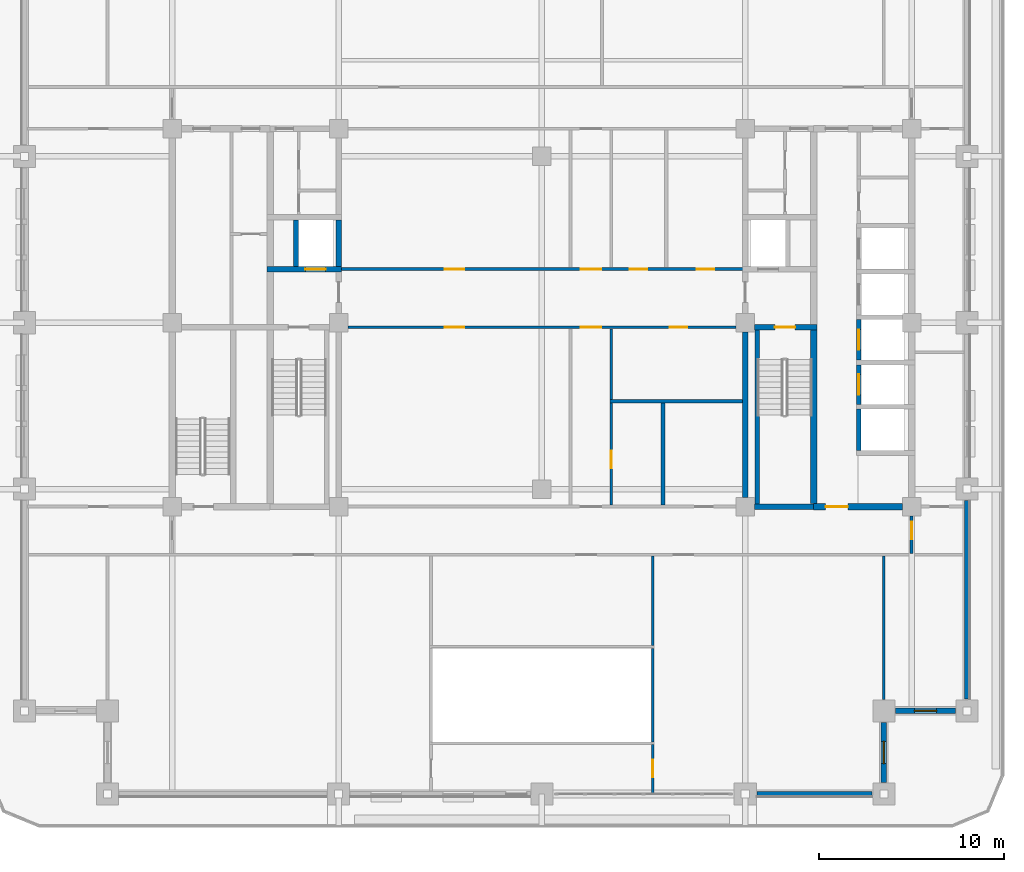
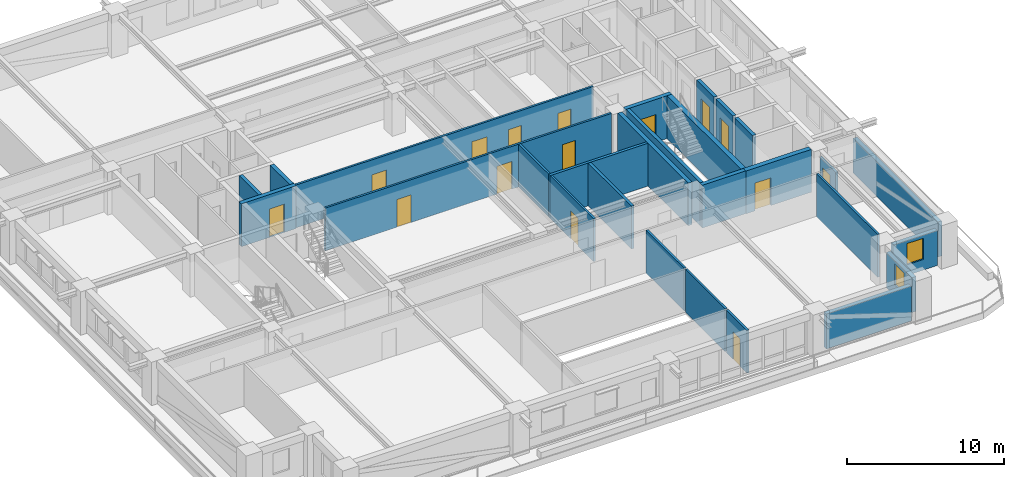
# One storey, part 9 of 20: 27 walls, 15 doors, 2 windows, 17 openings.
"""IFC4 building model written with IfcOpenShell, lengths in metres."""

from ifc_helpers import new_model, si_unit, direction, frame, frame_2d, origin, place, context, subcontext, project, spatial, rectangle, extrude, material, layer, layer_set, type_object, element, fill, save


model = new_model("IFC4")

# Units and contexts
model_context = context("Model", 3, precision=1e-05, world=origin(), true_north=direction((0.0, 1.0)))
body_context = subcontext(model_context, "Body", "Model", "MODEL_VIEW")
ifc_project = project(units=[si_unit("LENGTHUNIT", "METRE"), si_unit("AREAUNIT", "SQUARE_METRE"), si_unit("VOLUMEUNIT", "CUBIC_METRE"), si_unit("PLANEANGLEUNIT", "RADIAN"), si_unit("MASSUNIT", "GRAM", prefix="KILO")], contexts=[model_context])

# Site, building, storey
site_placement = place(None, origin())
site = spatial("IfcSite", under=ifc_project, at=site_placement, CompositionType="ELEMENT")
building_placement = place(site_placement, origin())
building = spatial("IfcBuilding", under=site, at=building_placement, Name="Zulmaris Gate Convention Tower", CompositionType="ELEMENT")
storey_placement = place(building_placement, frame((0.0, 0.0, 146.33984375)))
storey = spatial("IfcBuildingStorey", under=building, at=storey_placement, Name="L37", CompositionType="ELEMENT", Elevation=146.33984375)

# Walls
ifc_material_1 = material(Name="Concrete C50/60", Category="concrete")
ifc_layer_1 = layer(ifc_material_1, 0.25, Name="Concrete C50/60")
ifc_layer_set_1 = layer_set([ifc_layer_1], Name="Concrete C50/60")
wall_type_1 = type_object("IfcWallType", Name="CORE-250", PredefinedType="SOLIDWALL", material=ifc_layer_set_1)
wall_1_placement = place(storey_placement, frame((-13.300048828125, 3.052001953125, 0.0), z_axis=(0.0, 0.0, 1.0), x_axis=(0.0, 1.0, 0.0)))
element("IfcWall", 1, at=wall_1_placement, inside=storey, type_object=wall_type_1, Name="WL-L37-046", PredefinedType="SOLIDWALL", context=body_context, shape_type="SweptSolid", body=[
    extrude(rectangle(XDim=2.49609375, YDim=0.25, at=frame_2d((1.248046875, 0.0))), origin(), (0.0, 0.0, 1.0), 3.320068359375),
])
wall_2_placement = place(storey_placement, frame((11.64990234375, -9.798095703125, 0.0), z_axis=(0.0, 0.0, 1.0), x_axis=(0.0, 1.0, 0.0)))
element("IfcWall", 2, at=wall_2_placement, inside=storey, type_object=wall_type_1, Name="WL-L37-056", PredefinedType="SOLIDWALL", context=body_context, shape_type="SweptSolid", body=[
    extrude(rectangle(XDim=9.39599609375, YDim=0.25, at=frame_2d((4.697998046875, 0.0))), origin(), (0.0, 0.0, 1.0), 3.320068359375),
])
wall_3_placement = place(storey_placement, frame((17.14990234375, -6.923095703125, 0.0), z_axis=(0.0, 0.0, 1.0), x_axis=(0.0, 1.0, 0.0)))
element("IfcWall", 3, at=wall_3_placement, inside=storey, type_object=wall_type_1, Name="WL-L37-062", PredefinedType="SOLIDWALL", context=body_context, shape_type="SweptSolid", body=[
    extrude(rectangle(XDim=2.24609375, YDim=0.25, at=frame_2d((1.123046875, 0.0))), origin(), (0.0, 0.0, 1.0), 3.320068359375),
])

# Wall, opening, door
wall_4_placement = place(storey_placement, frame((17.14990234375, -4.423095703125, 0.0), z_axis=(0.0, 0.0, 1.0), x_axis=(0.0, 1.0, 0.0)))
wall_4 = element("IfcWall", 4, at=wall_4_placement, inside=storey, type_object=wall_type_1, Name="WL-L37-063", PredefinedType="SOLIDWALL", context=body_context, shape_type="SweptSolid", body=[
    extrude(rectangle(XDim=2.14599609375, YDim=0.25, at=frame_2d((1.072998046875, 0.0))), origin(), (0.0, 0.0, 1.0), 3.320068359375),
])
opening_1_placement = place(wall_4_placement, frame((0.52294921875, 0.0, 0.0)))
opening_1 = element("IfcOpeningElement", 5, at=opening_1_placement, cuts=wall_4, Name="Opening D-06", PredefinedType="OPENING", context=body_context, shape_type="SweptSolid", body=[
    extrude(rectangle(XDim=1.10009765625, YDim=2.199951171875, at=frame_2d((0.550048828125, 1.10009765625))), frame((0.0, 0.135009765625, 0.0), z_axis=(0.0, -1.0, 0.0), x_axis=(1.0, 0.0, 0.0)), (0.0, 0.0, 1.0), 0.27001953125),
])
ifc_material_2 = material(Name="Brushed Stainless Steel", Category="steel")
door_type_1 = type_object("IfcDoorType", Name="LD-1100", OperationType="NOTDEFINED", PredefinedType="DOOR", material=ifc_material_2)
door_1_placement = place(opening_1_placement, origin())
door_1 = element("IfcDoor", 6, at=door_1_placement, inside=storey, type_object=door_type_1, Name="L37 Lift Landing Door MP-01 17", OperationType="SLIDING_TO_RIGHT", OverallHeight=2.199951171875, OverallWidth=1.10009765625, PredefinedType="DOOR", context=body_context, shape_type="SweptSolid", body=[
    extrude(rectangle(XDim=1.10009765625, YDim=2.199951171875, at=frame_2d((0.550048828125, 1.10009765625))), frame((0.0, 0.02490234375, 0.0), z_axis=(0.0, -1.0, 0.0), x_axis=(1.0, 0.0, 0.0)), (0.0, 0.0, 1.0), 0.050048828125),
])
fill(opening_1, door_1)

wall_5_placement = place(storey_placement, frame((17.14990234375, -2.02294921875, 0.0), z_axis=(0.0, 0.0, 1.0), x_axis=(0.0, 1.0, 0.0)))
wall_5 = element("IfcWall", 7, at=wall_5_placement, inside=storey, type_object=wall_type_1, Name="WL-L37-064", PredefinedType="SOLIDWALL", context=body_context, shape_type="SweptSolid", body=[
    extrude(rectangle(XDim=2.196044921875, YDim=0.25, at=frame_2d((1.09814453125, 0.0))), origin(), (0.0, 0.0, 1.0), 3.320068359375),
])
opening_2_placement = place(wall_5_placement, frame((0.548095703125, 0.0, 0.0)))
opening_2 = element("IfcOpeningElement", 8, at=opening_2_placement, cuts=wall_5, Name="Opening D-06", PredefinedType="OPENING", context=body_context, shape_type="SweptSolid", body=[
    extrude(rectangle(XDim=1.10009765625, YDim=2.199951171875, at=frame_2d((0.550048828125, 1.10009765625))), frame((0.0, 0.135009765625, 0.0), z_axis=(0.0, -1.0, 0.0), x_axis=(1.0, 0.0, 0.0)), (0.0, 0.0, 1.0), 0.27001953125),
])
door_2_placement = place(opening_2_placement, origin())
door_2 = element("IfcDoor", 9, at=door_2_placement, inside=storey, type_object=door_type_1, Name="L37 Lift Landing Door MP-02 18", OperationType="SLIDING_TO_RIGHT", OverallHeight=2.199951171875, OverallWidth=1.10009765625, PredefinedType="DOOR", context=body_context, shape_type="SweptSolid", body=[
    extrude(rectangle(XDim=1.10009765625, YDim=2.199951171875, at=frame_2d((0.550048828125, 1.10009765625))), frame((0.0, 0.02490234375, 0.0), z_axis=(0.0, -1.0, 0.0), x_axis=(1.0, 0.0, 0.0)), (0.0, 0.0, 1.0), 0.050048828125),
])
fill(opening_2, door_2)

# Wall
ifc_layer_2 = layer(ifc_material_1, 0.300048828125, Name="Concrete C50/60")
ifc_layer_set_2 = layer_set([ifc_layer_2], Name="Concrete C50/60")
wall_type_2 = type_object("IfcWallType", Name="CORE-300", PredefinedType="SHEAR", material=ifc_layer_set_2)
wall_6_placement = place(storey_placement, frame((11.50390625, -9.949951171875, 0.0), z_axis=(0.0, 0.0, 1.0), x_axis=(1.0, 0.0, 0.0)))
element("IfcWall", 10, at=wall_6_placement, inside=storey, type_object=wall_type_2, Name="WL-L37-003", PredefinedType="SHEAR", context=body_context, shape_type="SweptSolid", body=[
    extrude(rectangle(XDim=3.196044921875, YDim=0.300048828125, at=frame_2d((1.59814453125, 0.0))), origin(), (0.0, 0.0, 1.0), 3.320068359375),
])

# Wall, opening, door
wall_7_placement = place(storey_placement, frame((11.50390625, -0.25, 0.0), z_axis=(0.0, 0.0, 1.0), x_axis=(1.0, 0.0, 0.0)))
wall_7 = element("IfcWall", 11, at=wall_7_placement, inside=storey, type_object=wall_type_2, Name="WL-L37-009", PredefinedType="SHEAR", context=body_context, shape_type="SweptSolid", body=[
    extrude(rectangle(XDim=3.37109375, YDim=0.300048828125, at=frame_2d((1.685546875, 0.0))), origin(), (0.0, 0.0, 1.0), 3.320068359375),
])
opening_3_placement = place(wall_7_placement, frame((1.095947265625, 0.0, 0.0)))
opening_3 = element("IfcOpeningElement", 12, at=opening_3_placement, cuts=wall_7, Name="Opening D-08", PredefinedType="OPENING", context=body_context, shape_type="SweptSolid", body=[
    extrude(rectangle(XDim=1.10009765625, YDim=2.14990234375, at=frame_2d((0.550048828125, 1.074951171875))), frame((0.0, 0.16015625, 0.0), z_axis=(0.0, -1.0, 0.0), x_axis=(1.0, 0.0, 0.0)), (0.0, 0.0, 1.0), 0.320068359375),
])
ifc_material_3 = material(Name="Fire-Rated Steel", Category="steel")
door_type_2 = type_object("IfcDoorType", Name="DR-1100-FD", OperationType="NOTDEFINED", PredefinedType="DOOR", material=ifc_material_3)
door_3_placement = place(opening_3_placement, origin())
door_3 = element("IfcDoor", 13, at=door_3_placement, inside=storey, type_object=door_type_2, Name="L37 Exit Stair ST-2 Door 04", OperationType="SINGLE_SWING_LEFT", OverallHeight=2.14990234375, OverallWidth=1.10009765625, PredefinedType="DOOR", context=body_context, shape_type="SweptSolid", body=[
    extrude(rectangle(XDim=1.10009765625, YDim=2.14990234375, at=frame_2d((0.550048828125, 1.074951171875))), frame((0.0, 0.02490234375, 0.0), z_axis=(0.0, -1.0, 0.0), x_axis=(1.0, 0.0, 0.0)), (0.0, 0.0, 1.0), 0.050048828125),
])
fill(opening_3, door_3)

wall_8_placement = place(storey_placement, frame((-14.875, 2.89990234375, 0.0), z_axis=(0.0, 0.0, 1.0), x_axis=(1.0, 0.0, 0.0)))
wall_8 = element("IfcWall", 14, at=wall_8_placement, inside=storey, type_object=wall_type_2, Name="WL-L37-012", PredefinedType="SHEAR", context=body_context, shape_type="SweptSolid", body=[
    extrude(rectangle(XDim=4.02490234375, YDim=0.300048828125, at=frame_2d((2.012451171875, 0.0))), origin(), (0.0, 0.0, 1.0), 3.320068359375),
])
opening_4_placement = place(wall_8_placement, frame((2.074951171875, 0.0, 0.0)))
opening_4 = element("IfcOpeningElement", 15, at=opening_4_placement, cuts=wall_8, Name="Opening D-06", PredefinedType="OPENING", context=body_context, shape_type="SweptSolid", body=[
    extrude(rectangle(XDim=1.10009765625, YDim=2.199951171875, at=frame_2d((0.550048828125, 1.10009765625))), frame((0.0, 0.16015625, 0.0), z_axis=(0.0, -1.0, 0.0), x_axis=(1.0, 0.0, 0.0)), (0.0, 0.0, 1.0), 0.320068359375),
])
door_4_placement = place(opening_4_placement, origin())
door_4 = element("IfcDoor", 16, at=door_4_placement, inside=storey, type_object=door_type_1, Name="L37 Lift Landing Door LF-01 03", OperationType="SLIDING_TO_LEFT", OverallHeight=2.199951171875, OverallWidth=1.10009765625, PredefinedType="DOOR", context=body_context, shape_type="SweptSolid", body=[
    extrude(rectangle(XDim=1.10009765625, YDim=2.199951171875, at=frame_2d((0.550048828125, 1.10009765625))), frame((0.0, 0.02490234375, 0.0), z_axis=(0.0, -1.0, 0.0), x_axis=(1.0, 0.0, 0.0)), (0.0, 0.0, 1.0), 0.050048828125),
])
fill(opening_4, door_4)

# Walls
wall_9_placement = place(storey_placement, frame((-11.0, 3.052001953125, 0.0), z_axis=(0.0, 0.0, 1.0), x_axis=(0.0, 1.0, 0.0)))
element("IfcWall", 17, at=wall_9_placement, inside=storey, type_object=wall_type_2, Name="WL-L37-050", PredefinedType="SHEAR", context=body_context, shape_type="SweptSolid", body=[
    extrude(rectangle(XDim=2.49609375, YDim=0.300048828125, at=frame_2d((1.248046875, 0.0))), origin(), (0.0, 0.0, 1.0), 3.320068359375),
])
wall_10_placement = place(storey_placement, frame((11.0, -9.446044921875, 0.0), z_axis=(0.0, 0.0, 1.0), x_axis=(0.0, 1.0, 0.0)))
element("IfcWall", 18, at=wall_10_placement, inside=storey, type_object=wall_type_2, Name="WL-L37-052", PredefinedType="SHEAR", context=body_context, shape_type="SweptSolid", body=[
    extrude(rectangle(XDim=8.942138671875, YDim=0.300048828125, at=frame_2d((4.47119140625, 0.0))), origin(), (0.0, 0.0, 1.0), 3.320068359375),
])

# Wall, opening, door
ifc_material_4 = material(Name="Concrete C55/67", Category="concrete")
ifc_layer_3 = layer(ifc_material_4, 0.35009765625, Name="Concrete C55/67")
ifc_layer_set_3 = layer_set([ifc_layer_3], Name="Concrete C55/67")
wall_type_3 = type_object("IfcWallType", Name="CORE-350", PredefinedType="SHEAR", material=ifc_layer_set_3)
wall_11_placement = place(storey_placement, frame((14.699951171875, -9.949951171875, 0.0), z_axis=(0.0, 0.0, 1.0), x_axis=(1.0, 0.0, 0.0)))
wall_11 = element("IfcWall", 19, at=wall_11_placement, inside=storey, type_object=wall_type_3, Name="WL-L37-004", PredefinedType="SHEAR", context=body_context, shape_type="SweptSolid", body=[
    extrude(rectangle(XDim=4.796142578125, YDim=0.35009765625, at=frame_2d((2.39794921875, 0.0))), origin(), (0.0, 0.0, 1.0), 3.320068359375),
])
opening_5_placement = place(wall_11_placement, frame((0.64990234375, 0.0, 0.0)))
opening_5 = element("IfcOpeningElement", 20, at=opening_5_placement, cuts=wall_11, Name="Opening D-13", PredefinedType="OPENING", context=body_context, shape_type="SweptSolid", body=[
    extrude(rectangle(XDim=1.199951171875, YDim=2.14990234375, at=frame_2d((0.60009765625, 1.074951171875))), frame((0.0, 0.18505859375, 0.0), z_axis=(0.0, -1.0, 0.0), x_axis=(1.0, 0.0, 0.0)), (0.0, 0.0, 1.0), 0.3701171875),
])
door_type_3 = type_object("IfcDoorType", Name="DR-1200-FD", OperationType="NOTDEFINED", PredefinedType="DOOR", material=ifc_material_3)
door_5_placement = place(opening_5_placement, origin())
door_5 = element("IfcDoor", 21, at=door_5_placement, inside=storey, type_object=door_type_3, Name="L37 East Lift Lobby South Door 21", OperationType="SINGLE_SWING_LEFT", OverallHeight=2.14990234375, OverallWidth=1.199951171875, PredefinedType="DOOR", context=body_context, shape_type="SweptSolid", body=[
    extrude(rectangle(XDim=1.199951171875, YDim=2.14990234375, at=frame_2d((0.60009765625, 1.074951171875))), frame((0.0, 0.02490234375, 0.0), z_axis=(0.0, -1.0, 0.0), x_axis=(1.0, 0.0, 0.0)), (0.0, 0.0, 1.0), 0.050048828125),
])
fill(opening_5, door_5)

# Wall
wall_12_placement = place(storey_placement, frame((14.699951171875, -9.77294921875, 0.0), z_axis=(0.0, 0.0, 1.0), x_axis=(0.0, 1.0, 0.0)))
element("IfcWall", 22, at=wall_12_placement, inside=storey, type_object=wall_type_3, Name="WL-L37-058", PredefinedType="SHEAR", context=body_context, shape_type="SweptSolid", body=[
    extrude(rectangle(XDim=9.370849609375, YDim=0.35009765625, at=frame_2d((4.685546875, 0.0))), origin(), (0.0, 0.0, 1.0), 3.320068359375),
])

# Wall, openings, doors
ifc_material_5 = material(Name="Gypsum Metal Stud Partition")
ifc_layer_4 = layer(ifc_material_5, 0.14990234375, Name="Gypsum Metal Stud Partition")
ifc_layer_set_4 = layer_set([ifc_layer_4], Name="Gypsum Metal Stud Partition")
wall_type_4 = type_object("IfcWallType", Name="PART-150", PredefinedType="PARTITIONING", material=ifc_layer_set_4)
wall_13_placement = place(storey_placement, frame((-10.493896484375, -0.25, 0.0), z_axis=(0.0, 0.0, 1.0), x_axis=(1.0, 0.0, 0.0)))
wall_13 = element("IfcWall", 23, at=wall_13_placement, inside=storey, type_object=wall_type_4, Name="WL-L37-029", PredefinedType="PARTITIONING", context=body_context, shape_type="SweptSolid", body=[
    extrude(rectangle(XDim=20.98779296875, YDim=0.14990234375, at=frame_2d((10.493896484375, 0.0))), origin(), (0.0, 0.0, 1.0), 3.320068359375),
])
opening_6_placement = place(wall_13_placement, frame((12.593994140625, 0.0, 0.0)))
opening_6 = element("IfcOpeningElement", 24, at=opening_6_placement, cuts=wall_13, Name="Opening D-08", PredefinedType="OPENING", context=body_context, shape_type="SweptSolid", body=[
    extrude(rectangle(XDim=1.10009765625, YDim=2.14990234375, at=frame_2d((0.550048828125, 1.074951171875))), frame((0.0, 0.0849609375, 0.0), z_axis=(0.0, -1.0, 0.0), x_axis=(1.0, 0.0, 0.0)), (0.0, 0.0, 1.0), 0.169921875),
])
opening_7_placement = place(wall_13_placement, frame((5.2490234375, 0.0, 0.0)))
opening_7 = element("IfcOpeningElement", 25, at=opening_7_placement, cuts=wall_13, Name="Opening D-09", PredefinedType="OPENING", context=body_context, shape_type="SweptSolid", body=[
    extrude(rectangle(XDim=1.050048828125, YDim=2.14990234375, at=frame_2d((0.52490234375, 1.074951171875))), frame((0.0, 0.0849609375, 0.0), z_axis=(0.0, -1.0, 0.0), x_axis=(1.0, 0.0, 0.0)), (0.0, 0.0, 1.0), 0.169921875),
])
opening_8_placement = place(wall_13_placement, frame((17.39892578125, 0.0, 0.0)))
opening_8 = element("IfcOpeningElement", 26, at=opening_8_placement, cuts=wall_13, Name="Opening D-11", PredefinedType="OPENING", context=body_context, shape_type="SweptSolid", body=[
    extrude(rectangle(XDim=0.949951171875, YDim=2.14990234375, at=frame_2d((0.47509765625, 1.074951171875))), frame((0.0, 0.0849609375, 0.0), z_axis=(0.0, -1.0, 0.0), x_axis=(1.0, 0.0, 0.0)), (0.0, 0.0, 1.0), 0.169921875),
])
door_type_4 = type_object("IfcDoorType", Name="DR-1050-FD", OperationType="NOTDEFINED", PredefinedType="DOOR", material=ifc_material_3)
door_6_placement = place(opening_7_placement, origin())
door_6 = element("IfcDoor", 27, at=door_6_placement, inside=storey, type_object=door_type_4, Name="L37 Sky Library Door 39", OperationType="SINGLE_SWING_LEFT", OverallHeight=2.14990234375, OverallWidth=1.050048828125, PredefinedType="DOOR", context=body_context, shape_type="SweptSolid", body=[
    extrude(rectangle(XDim=1.050048828125, YDim=2.14990234375, at=frame_2d((0.52490234375, 1.074951171875))), frame((0.0, 0.02490234375, 0.0), z_axis=(0.0, -1.0, 0.0), x_axis=(1.0, 0.0, 0.0)), (0.0, 0.0, 1.0), 0.050048828125),
])
fill(opening_7, door_6)
door_7_placement = place(opening_6_placement, origin())
door_7 = element("IfcDoor", 28, at=door_7_placement, inside=storey, type_object=door_type_2, Name="L37 Cross Spine South Door 28", OperationType="SINGLE_SWING_RIGHT", OverallHeight=2.14990234375, OverallWidth=1.10009765625, PredefinedType="DOOR", context=body_context, shape_type="SweptSolid", body=[
    extrude(rectangle(XDim=1.10009765625, YDim=2.14990234375, at=frame_2d((0.550048828125, 1.074951171875))), frame((0.0, 0.02490234375, 0.0), z_axis=(0.0, -1.0, 0.0), x_axis=(1.0, 0.0, 0.0)), (0.0, 0.0, 1.0), 0.050048828125),
])
fill(opening_6, door_7)
ifc_material_6 = material(Name="Fire-Rated Timber", Category="wood")
door_type_5 = type_object("IfcDoorType", Name="DR-950-FD", OperationType="NOTDEFINED", PredefinedType="DOOR", material=ifc_material_6)
door_8_placement = place(opening_8_placement, origin())
door_8 = element("IfcDoor", 29, at=door_8_placement, inside=storey, type_object=door_type_5, Name="L37 Public WC Door 40", OperationType="SINGLE_SWING_RIGHT", OverallHeight=2.14990234375, OverallWidth=0.949951171875, PredefinedType="DOOR", context=body_context, shape_type="SweptSolid", body=[
    extrude(rectangle(XDim=0.949951171875, YDim=2.14990234375, at=frame_2d((0.47509765625, 1.074951171875))), frame((0.0, 0.02490234375, 0.0), z_axis=(0.0, -1.0, 0.0), x_axis=(1.0, 0.0, 0.0)), (0.0, 0.0, 1.0), 0.050048828125),
])
fill(opening_8, door_8)

wall_14_placement = place(storey_placement, frame((-11.0, 2.89990234375, 0.0), z_axis=(0.0, 0.0, 1.0), x_axis=(1.0, 0.0, 0.0)))
wall_14 = element("IfcWall", 30, at=wall_14_placement, inside=storey, type_object=wall_type_4, Name="WL-L37-030", PredefinedType="PARTITIONING", context=body_context, shape_type="SweptSolid", body=[
    extrude(rectangle(XDim=22.0, YDim=0.14990234375, at=frame_2d((11.0, 0.0))), origin(), (0.0, 0.0, 1.0), 3.320068359375),
])
opening_9_placement = place(wall_14_placement, frame((13.10009765625, 0.0, 0.0)))
opening_9 = element("IfcOpeningElement", 31, at=opening_9_placement, cuts=wall_14, Name="Opening D-08", PredefinedType="OPENING", context=body_context, shape_type="SweptSolid", body=[
    extrude(rectangle(XDim=1.10009765625, YDim=2.14990234375, at=frame_2d((0.550048828125, 1.074951171875))), frame((0.0, 0.0849609375, 0.0), z_axis=(0.0, -1.0, 0.0), x_axis=(1.0, 0.0, 0.0)), (0.0, 0.0, 1.0), 0.169921875),
])
opening_10_placement = place(wall_14_placement, frame((5.7548828125, 0.0, 0.0)))
opening_10 = element("IfcOpeningElement", 32, at=opening_10_placement, cuts=wall_14, Name="Opening D-09", PredefinedType="OPENING", context=body_context, shape_type="SweptSolid", body=[
    extrude(rectangle(XDim=1.050048828125, YDim=2.14990234375, at=frame_2d((0.52490234375, 1.074951171875))), frame((0.0, 0.0849609375, 0.0), z_axis=(0.0, -1.0, 0.0), x_axis=(1.0, 0.0, 0.0)), (0.0, 0.0, 1.0), 0.169921875),
])
opening_11_placement = place(wall_14_placement, frame((15.7548828125, 0.0, 0.0)))
opening_11 = element("IfcOpeningElement", 33, at=opening_11_placement, cuts=wall_14, Name="Opening D-11", PredefinedType="OPENING", context=body_context, shape_type="SweptSolid", body=[
    extrude(rectangle(XDim=0.949951171875, YDim=2.14990234375, at=frame_2d((0.47509765625, 1.074951171875))), frame((0.0, 0.0849609375, 0.0), z_axis=(0.0, -1.0, 0.0), x_axis=(1.0, 0.0, 0.0)), (0.0, 0.0, 1.0), 0.169921875),
])
opening_12_placement = place(wall_14_placement, frame((19.385009765625, 0.0, 0.0)))
opening_12 = element("IfcOpeningElement", 34, at=opening_12_placement, cuts=wall_14, Name="Opening D-11", PredefinedType="OPENING", context=body_context, shape_type="SweptSolid", body=[
    extrude(rectangle(XDim=0.949951171875, YDim=2.14990234375, at=frame_2d((0.47509765625, 1.074951171875))), frame((0.0, 0.0849609375, 0.0), z_axis=(0.0, -1.0, 0.0), x_axis=(1.0, 0.0, 0.0)), (0.0, 0.0, 1.0), 0.169921875),
])
door_9_placement = place(opening_10_placement, origin())
door_9 = element("IfcDoor", 35, at=door_9_placement, inside=storey, type_object=door_type_4, Name="L37 Reception Door 36", OperationType="SINGLE_SWING_RIGHT", OverallHeight=2.14990234375, OverallWidth=1.050048828125, PredefinedType="DOOR", context=body_context, shape_type="SweptSolid", body=[
    extrude(rectangle(XDim=1.050048828125, YDim=2.14990234375, at=frame_2d((0.52490234375, 1.074951171875))), frame((0.0, 0.02490234375, 0.0), z_axis=(0.0, -1.0, 0.0), x_axis=(1.0, 0.0, 0.0)), (0.0, 0.0, 1.0), 0.050048828125),
])
fill(opening_10, door_9)
door_10_placement = place(opening_9_placement, origin())
door_10 = element("IfcDoor", 36, at=door_10_placement, inside=storey, type_object=door_type_2, Name="L37 Cross Spine North Door 27", OperationType="SINGLE_SWING_LEFT", OverallHeight=2.14990234375, OverallWidth=1.10009765625, PredefinedType="DOOR", context=body_context, shape_type="SweptSolid", body=[
    extrude(rectangle(XDim=1.10009765625, YDim=2.14990234375, at=frame_2d((0.550048828125, 1.074951171875))), frame((0.0, 0.02490234375, 0.0), z_axis=(0.0, -1.0, 0.0), x_axis=(1.0, 0.0, 0.0)), (0.0, 0.0, 1.0), 0.050048828125),
])
fill(opening_9, door_10)
door_11_placement = place(opening_11_placement, origin())
door_11 = element("IfcDoor", 37, at=door_11_placement, inside=storey, type_object=door_type_5, Name="L37 Briefing Door 37", OperationType="SINGLE_SWING_LEFT", OverallHeight=2.14990234375, OverallWidth=0.949951171875, PredefinedType="DOOR", context=body_context, shape_type="SweptSolid", body=[
    extrude(rectangle(XDim=0.949951171875, YDim=2.14990234375, at=frame_2d((0.47509765625, 1.074951171875))), frame((0.0, 0.02490234375, 0.0), z_axis=(0.0, -1.0, 0.0), x_axis=(1.0, 0.0, 0.0)), (0.0, 0.0, 1.0), 0.050048828125),
])
fill(opening_11, door_11)
door_12_placement = place(opening_12_placement, origin())
door_12 = element("IfcDoor", 38, at=door_12_placement, inside=storey, type_object=door_type_5, Name="L37 Dining Pantry Door 38", OperationType="SINGLE_SWING_RIGHT", OverallHeight=2.14990234375, OverallWidth=0.949951171875, PredefinedType="DOOR", context=body_context, shape_type="SweptSolid", body=[
    extrude(rectangle(XDim=0.949951171875, YDim=2.14990234375, at=frame_2d((0.47509765625, 1.074951171875))), frame((0.0, 0.02490234375, 0.0), z_axis=(0.0, -1.0, 0.0), x_axis=(1.0, 0.0, 0.0)), (0.0, 0.0, 1.0), 0.050048828125),
])
fill(opening_12, door_12)

# Wall, opening, door
wall_15_placement = place(storey_placement, frame((3.75, -9.8720703125, 0.0), z_axis=(0.0, 0.0, 1.0), x_axis=(0.0, 1.0, 0.0)))
wall_15 = element("IfcWall", 39, at=wall_15_placement, inside=storey, type_object=wall_type_4, Name="WL-L37-088", PredefinedType="PARTITIONING", context=body_context, shape_type="SweptSolid", body=[
    extrude(rectangle(XDim=5.51904296875, YDim=0.14990234375, at=frame_2d((2.759521484375, 0.0))), origin(), (0.0, 0.0, 1.0), 3.320068359375),
])
opening_13_placement = place(wall_15_placement, frame((1.9970703125, 0.0, 0.0)))
opening_13 = element("IfcOpeningElement", 40, at=opening_13_placement, cuts=wall_15, Name="Opening D-11", PredefinedType="OPENING", context=body_context, shape_type="SweptSolid", body=[
    extrude(rectangle(XDim=0.949951171875, YDim=2.14990234375, at=frame_2d((0.47509765625, 1.074951171875))), frame((0.0, 0.0849609375, 0.0), z_axis=(0.0, -1.0, 0.0), x_axis=(1.0, 0.0, 0.0)), (0.0, 0.0, 1.0), 0.169921875),
])
door_13_placement = place(opening_13_placement, origin())
door_13 = element("IfcDoor", 41, at=door_13_placement, inside=storey, type_object=door_type_5, Name="L37 Accessible WC Door 41", OperationType="SINGLE_SWING_LEFT", OverallHeight=2.14990234375, OverallWidth=0.949951171875, PredefinedType="DOOR", context=body_context, shape_type="SweptSolid", body=[
    extrude(rectangle(XDim=0.949951171875, YDim=2.14990234375, at=frame_2d((0.47509765625, 1.074951171875))), frame((0.0, 0.02490234375, 0.0), z_axis=(0.0, -1.0, 0.0), x_axis=(1.0, 0.0, 0.0)), (0.0, 0.0, 1.0), 0.050048828125),
])
fill(opening_13, door_13)

# Wall
wall_16_placement = place(storey_placement, frame((3.75, -4.14697265625, 0.0), z_axis=(0.0, 0.0, 1.0), x_axis=(0.0, 1.0, 0.0)))
element("IfcWall", 42, at=wall_16_placement, inside=storey, type_object=wall_type_4, Name="WL-L37-089", PredefinedType="PARTITIONING", context=body_context, shape_type="SweptSolid", body=[
    extrude(rectangle(XDim=3.819091796875, YDim=0.14990234375, at=frame_2d((1.90966796875, 0.0))), origin(), (0.0, 0.0, 1.0), 3.320068359375),
])

# Wall, opening, door
wall_17_placement = place(storey_placement, frame((6.0, -25.43994140625, 0.0), z_axis=(0.0, 0.0, 1.0), x_axis=(0.0, 1.0, 0.0)))
wall_17 = element("IfcWall", 43, at=wall_17_placement, inside=storey, type_object=wall_type_4, Name="WL-L37-091", PredefinedType="PARTITIONING", context=body_context, shape_type="SweptSolid", body=[
    extrude(rectangle(XDim=2.612060546875, YDim=0.14990234375, at=frame_2d((1.30615234375, 0.0))), origin(), (0.0, 0.0, 1.0), 3.320068359375),
])
opening_14_placement = place(wall_17_placement, frame((0.844970703125, 0.0, 0.0)))
opening_14 = element("IfcOpeningElement", 44, at=opening_14_placement, cuts=wall_17, Name="Opening D-16", PredefinedType="OPENING", context=body_context, shape_type="SweptSolid", body=[
    extrude(rectangle(XDim=0.949951171875, YDim=2.14990234375, at=frame_2d((0.47509765625, 1.074951171875))), frame((0.0, 0.0849609375, 0.0), z_axis=(0.0, -1.0, 0.0), x_axis=(1.0, 0.0, 0.0)), (0.0, 0.0, 1.0), 0.169921875),
])
ifc_material_7 = material(Name="Veneered Hardwood Timber", Category="wood")
door_type_6 = type_object("IfcDoorType", Name="DR-950", OperationType="NOTDEFINED", PredefinedType="DOOR", material=ifc_material_7)
door_14_placement = place(opening_14_placement, origin())
door_14 = element("IfcDoor", 45, at=door_14_placement, inside=storey, type_object=door_type_6, Name="L37 Terrace Loggia East Door 32", OperationType="SINGLE_SWING_RIGHT", OverallHeight=2.14990234375, OverallWidth=0.949951171875, PredefinedType="DOOR", context=body_context, shape_type="SweptSolid", body=[
    extrude(rectangle(XDim=0.949951171875, YDim=2.14990234375, at=frame_2d((0.47509765625, 1.074951171875))), frame((0.0, 0.02490234375, 0.0), z_axis=(0.0, -1.0, 0.0), x_axis=(1.0, 0.0, 0.0)), (0.0, 0.0, 1.0), 0.050048828125),
])
fill(opening_14, door_14)

# Walls
wall_18_placement = place(storey_placement, frame((6.0, -22.672119140625, 0.0), z_axis=(0.0, 0.0, 1.0), x_axis=(0.0, 1.0, 0.0)))
element("IfcWall", 46, at=wall_18_placement, inside=storey, type_object=wall_type_4, Name="WL-L37-092", PredefinedType="PARTITIONING", context=body_context, shape_type="SweptSolid", body=[
    extrude(rectangle(XDim=5.044189453125, YDim=0.14990234375, at=frame_2d((2.52197265625, 0.0))), origin(), (0.0, 0.0, 1.0), 3.320068359375),
])
wall_19_placement = place(storey_placement, frame((6.0, -17.471923828125, 0.0), z_axis=(0.0, 0.0, 1.0), x_axis=(0.0, 1.0, 0.0)))
element("IfcWall", 47, at=wall_19_placement, inside=storey, type_object=wall_type_4, Name="WL-L37-093", PredefinedType="PARTITIONING", context=body_context, shape_type="SweptSolid", body=[
    extrude(rectangle(XDim=4.843994140625, YDim=0.14990234375, at=frame_2d((2.421875, 0.0))), origin(), (0.0, 0.0, 1.0), 3.320068359375),
])
wall_20_placement = place(storey_placement, frame((18.5, -20.39404296875, 0.0), z_axis=(0.0, 0.0, 1.0), x_axis=(0.0, 1.0, 0.0)))
element("IfcWall", 48, at=wall_20_placement, inside=storey, type_object=wall_type_4, Name="WL-L37-100", PredefinedType="PARTITIONING", context=body_context, shape_type="SweptSolid", body=[
    extrude(rectangle(XDim=7.76611328125, YDim=0.14990234375, at=frame_2d((3.883056640625, 0.0))), origin(), (0.0, 0.0, 1.0), 3.320068359375),
])

# Wall, opening, door
wall_21_placement = place(storey_placement, frame((20.0, -12.471923828125, 0.0), z_axis=(0.0, 0.0, 1.0), x_axis=(0.0, 1.0, 0.0)))
wall_21 = element("IfcWall", 49, at=wall_21_placement, inside=storey, type_object=wall_type_4, Name="WL-L37-102", PredefinedType="PARTITIONING", context=body_context, shape_type="SweptSolid", body=[
    extrude(rectangle(XDim=2.015869140625, YDim=0.14990234375, at=frame_2d((1.0078125, 0.0))), origin(), (0.0, 0.0, 1.0), 2.81005859375),
])
opening_15_placement = place(wall_21_placement, frame((0.7470703125, 0.0, 0.0)))
opening_15 = element("IfcOpeningElement", 50, at=opening_15_placement, cuts=wall_21, Name="Opening D-11", PredefinedType="OPENING", context=body_context, shape_type="SweptSolid", body=[
    extrude(rectangle(XDim=0.949951171875, YDim=2.14990234375, at=frame_2d((0.47509765625, 1.074951171875))), frame((0.0, 0.0849609375, 0.0), z_axis=(0.0, -1.0, 0.0), x_axis=(1.0, 0.0, 0.0)), (0.0, 0.0, 1.0), 0.169921875),
])
door_15_placement = place(opening_15_placement, origin())
door_15 = element("IfcDoor", 51, at=door_15_placement, inside=storey, type_object=door_type_5, Name="L37 SE Spur Door 48", OperationType="SINGLE_SWING_RIGHT", OverallHeight=2.14990234375, OverallWidth=0.949951171875, PredefinedType="DOOR", context=body_context, shape_type="SweptSolid", body=[
    extrude(rectangle(XDim=0.949951171875, YDim=2.14990234375, at=frame_2d((0.47509765625, 1.074951171875))), frame((0.0, 0.02490234375, 0.0), z_axis=(0.0, -1.0, 0.0), x_axis=(1.0, 0.0, 0.0)), (0.0, 0.0, 1.0), 0.050048828125),
])
fill(opening_15, door_15)

# Walls
ifc_material_8 = material(Name="Autoclaved Aerated Concrete Block and Plasterboard", Category="concrete")
ifc_layer_5 = layer(ifc_material_8, 0.199951171875, Name="Autoclaved Aerated Concrete Block and Plasterboard")
ifc_layer_set_5 = layer_set([ifc_layer_5], Name="Autoclaved Aerated Concrete Block and Plasterboard")
wall_type_5 = type_object("IfcWallType", Name="PART-200", PredefinedType="PARTITIONING", material=ifc_layer_set_5)
wall_22_placement = place(storey_placement, frame((3.675048828125, -4.25, 0.0), z_axis=(0.0, 0.0, 1.0), x_axis=(1.0, 0.0, 0.0)))
element("IfcWall", 52, at=wall_22_placement, inside=storey, type_object=wall_type_5, Name="WL-L37-027", PredefinedType="PARTITIONING", context=body_context, shape_type="SweptSolid", body=[
    extrude(rectangle(XDim=7.171875, YDim=0.199951171875, at=frame_2d((3.5859375, 0.0))), origin(), (0.0, 0.0, 1.0), 3.320068359375),
])
wall_23_placement = place(storey_placement, frame((6.550048828125, -9.8720703125, 0.0), z_axis=(0.0, 0.0, 1.0), x_axis=(0.0, 1.0, 0.0)))
element("IfcWall", 53, at=wall_23_placement, inside=storey, type_object=wall_type_5, Name="WL-L37-094", PredefinedType="PARTITIONING", context=body_context, shape_type="SweptSolid", body=[
    extrude(rectangle(XDim=5.51904296875, YDim=0.199951171875, at=frame_2d((2.759521484375, 0.0))), origin(), (0.0, 0.0, 1.0), 3.320068359375),
])

# Wall, opening, window
ifc_material_9 = material(Name="Precast concrete C40/50", Category="concrete")
ifc_layer_6 = layer(ifc_material_9, 0.300048828125, Name="Precast concrete C40/50")
ifc_layer_set_6 = layer_set([ifc_layer_6], Name="Precast concrete C40/50")
wall_type_6 = type_object("IfcWallType", Name="PRECAST-PIER-300", PredefinedType="STANDARD", material=ifc_layer_set_6)
wall_24_placement = place(storey_placement, frame((18.5, -24.8701171875, 0.0), z_axis=(0.0, 0.0, 1.0), x_axis=(0.0, 1.0, 0.0)))
wall_24 = element("IfcWall", 54, at=wall_24_placement, inside=storey, type_object=wall_type_6, Name="EW-L37-NOTCH-SE1_0", PredefinedType="STANDARD", context=body_context, shape_type="SweptSolid", body=[
    extrude(rectangle(XDim=3.240234375, YDim=0.300048828125, at=frame_2d((1.6201171875, 0.0))), origin(), (0.0, 0.0, 1.0), 2.712158203125),
])
opening_16_placement = place(wall_24_placement, frame((1.02001953125, 0.0, 0.820068359375)))
opening_16 = element("IfcOpeningElement", 55, at=opening_16_placement, cuts=wall_24, Name="Opening W-04", PredefinedType="OPENING", context=body_context, shape_type="SweptSolid", body=[
    extrude(rectangle(XDim=1.199951171875, YDim=1.64990234375, at=frame_2d((0.60009765625, 0.824951171875))), frame((0.0, 0.16015625, 0.0), z_axis=(0.0, -1.0, 0.0), x_axis=(1.0, 0.0, 0.0)), (0.0, 0.0, 1.0), 0.320068359375),
])
ifc_material_10 = material(Name="Low-E Laminated Double Glazing in Aluminium Frame", Category="aluminium")
window_type = type_object("IfcWindowType", Name="WIN-1200x2100", PartitioningType="SINGLE_PANEL", PredefinedType="WINDOW", material=ifc_material_10)
window_1_placement = place(opening_16_placement, origin())
window_1 = element("IfcWindow", 56, at=window_1_placement, inside=storey, type_object=window_type, Name="WN-EW-L37-NOTCH-SE1_0", OverallHeight=1.64990234375, OverallWidth=1.199951171875, PartitioningType="SINGLE_PANEL", PredefinedType="WINDOW", context=body_context, shape_type="SweptSolid", body=[
    extrude(rectangle(XDim=1.199951171875, YDim=1.64990234375, at=frame_2d((0.60009765625, 0.824951171875))), frame((0.0, 0.030029296875, 0.0), z_axis=(0.0, -1.0, 0.0), x_axis=(1.0, 0.0, 0.0)), (0.0, 0.0, 1.0), 0.06005859375),
])
fill(opening_16, window_1)

wall_25_placement = place(storey_placement, frame((19.1298828125, -21.0, 0.0), z_axis=(0.0, 0.0, 1.0), x_axis=(1.0, 0.0, 0.0)))
wall_25 = element("IfcWall", 57, at=wall_25_placement, inside=storey, type_object=wall_type_6, Name="EW-L37-NOTCH-SE2_0", PredefinedType="STANDARD", context=body_context, shape_type="SweptSolid", body=[
    extrude(rectangle(XDim=3.240234375, YDim=0.300048828125, at=frame_2d((1.6201171875, 0.0))), origin(), (0.0, 0.0, 1.0), 2.712158203125),
])
opening_17_placement = place(wall_25_placement, frame((1.02001953125, 0.0, 0.820068359375)))
opening_17 = element("IfcOpeningElement", 58, at=opening_17_placement, cuts=wall_25, Name="Opening W-04", PredefinedType="OPENING", context=body_context, shape_type="SweptSolid", body=[
    extrude(rectangle(XDim=1.199951171875, YDim=1.64990234375, at=frame_2d((0.60009765625, 0.824951171875))), frame((0.0, 0.16015625, 0.0), z_axis=(0.0, -1.0, 0.0), x_axis=(1.0, 0.0, 0.0)), (0.0, 0.0, 1.0), 0.320068359375),
])
window_2_placement = place(opening_17_placement, origin())
window_2 = element("IfcWindow", 59, at=window_2_placement, inside=storey, type_object=window_type, Name="WN-EW-L37-NOTCH-SE2_0", OverallHeight=1.64990234375, OverallWidth=1.199951171875, PartitioningType="SINGLE_PANEL", PredefinedType="WINDOW", context=body_context, shape_type="SweptSolid", body=[
    extrude(rectangle(XDim=1.199951171875, YDim=1.64990234375, at=frame_2d((0.60009765625, 0.824951171875))), frame((0.0, 0.030029296875, 0.0), z_axis=(0.0, -1.0, 0.0), x_axis=(1.0, 0.0, 0.0)), (0.0, 0.0, 1.0), 0.06005859375),
])
fill(opening_17, window_2)

# Walls
wall_26_placement = place(storey_placement, frame((11.6298828125, -25.5, 0.0), z_axis=(0.0, 0.0, 1.0), x_axis=(1.0, 0.0, 0.0)))
element("IfcWall", 60, at=wall_26_placement, inside=storey, type_object=wall_type_6, Name="EW-L37-S-3_0", PredefinedType="STANDARD", context=body_context, shape_type="SweptSolid", body=[
    extrude(rectangle(XDim=6.240234375, YDim=0.300048828125, at=frame_2d((3.1201171875, 0.0))), origin(), (0.0, 0.0, 1.0), 2.712158203125),
])
wall_27_placement = place(storey_placement, frame((23.0, -20.3701171875, 0.0), z_axis=(0.0, 0.0, 1.0), x_axis=(0.0, 1.0, 0.0)))
element("IfcWall", 61, at=wall_27_placement, inside=storey, type_object=wall_type_6, Name="EW-L37-E-0_0", PredefinedType="STANDARD", context=body_context, shape_type="SweptSolid", body=[
    extrude(rectangle(XDim=10.740234375, YDim=0.300048828125, at=frame_2d((5.3701171875, 0.0))), origin(), (0.0, 0.0, 1.0), 2.712158203125),
])

save(model, "model.ifc")
